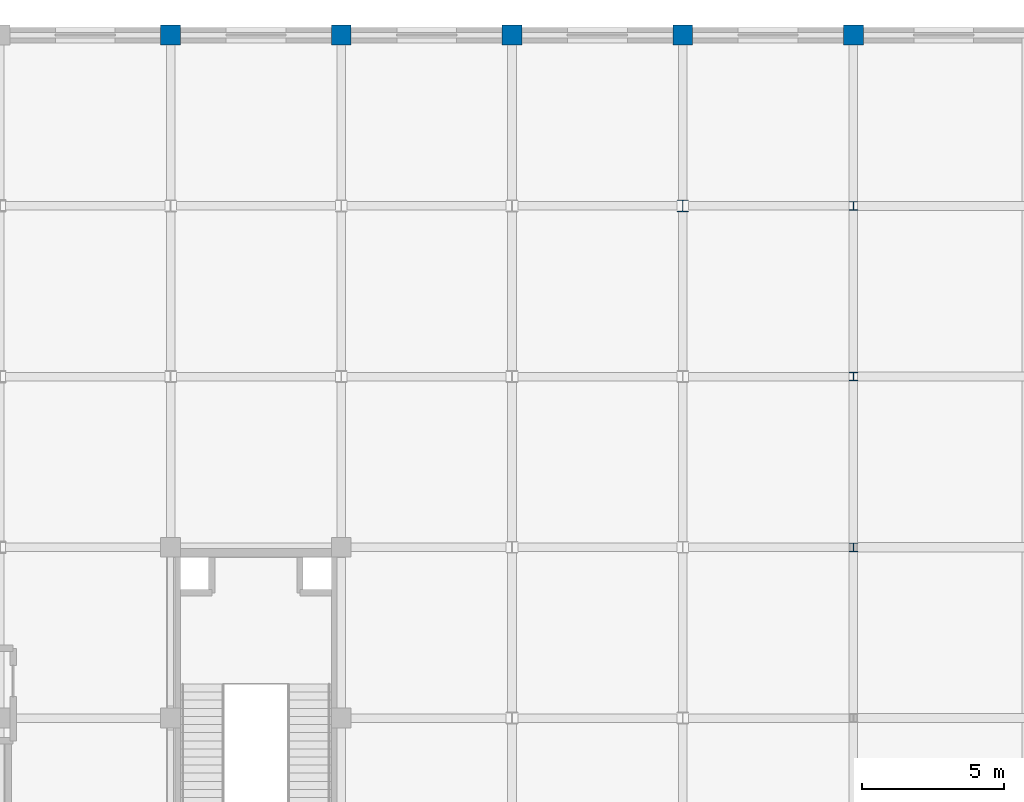
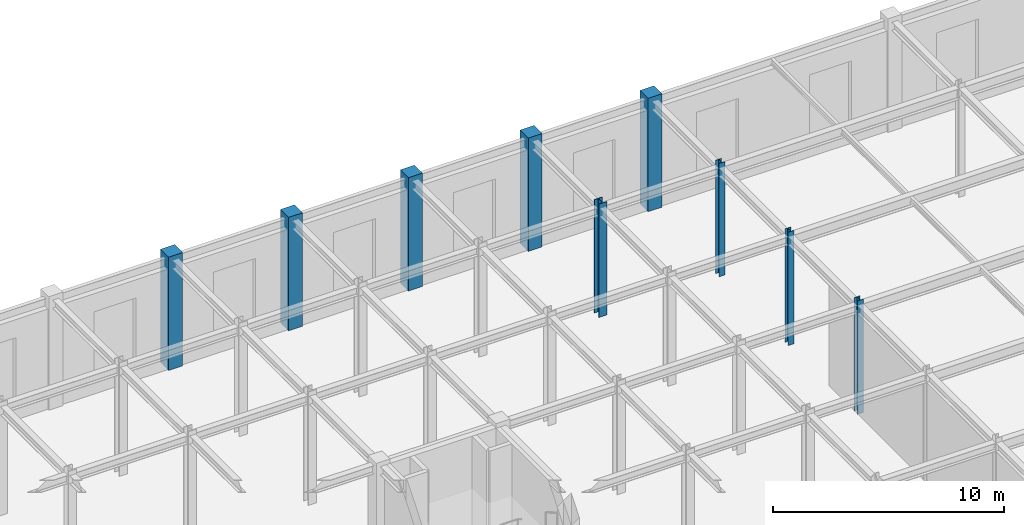
# One storey, part 20 of 108: 9 columns.
"""IFC4 building model written with IfcOpenShell, lengths in metres."""

from ifc_helpers import new_model, si_unit, direction, frame, origin, origin_2d, place, context, subcontext, project, spatial, rectangle, i_section, extrude, material, material_profile, profile_set, type_object, element, save


model = new_model("IFC4")

# Units and contexts
model_context = context("Model", 3, precision=1e-05, world=origin(), true_north=direction((0.0, 1.0)))
body_context = subcontext(model_context, "Body", "Model", "MODEL_VIEW")
ifc_project = project(units=[si_unit("LENGTHUNIT", "METRE"), si_unit("AREAUNIT", "SQUARE_METRE"), si_unit("VOLUMEUNIT", "CUBIC_METRE"), si_unit("PLANEANGLEUNIT", "RADIAN"), si_unit("MASSUNIT", "GRAM", prefix="KILO")], contexts=[model_context])

# Site, building, storey
site_placement = place(None, origin())
site = spatial("IfcSite", under=ifc_project, at=site_placement, CompositionType="ELEMENT")
building_placement = place(site_placement, origin())
building = spatial("IfcBuilding", under=site, at=building_placement, Name="Zlatovratsky Civic Hall", CompositionType="ELEMENT")
storey_placement = place(building_placement, frame((0.0, 0.0, 6.0)))
storey = spatial("IfcBuildingStorey", under=building, at=storey_placement, Name="L02", CompositionType="ELEMENT", Elevation=6.0)

# Columns
ifc_material_1 = material(Name="Concrete C35/45 (B40)", Category="concrete")
ifc_material_profile_1 = material_profile(ifc_material_1, rectangle(XDim=0.699951171875, YDim=0.699951171875, at=origin_2d()), Name="RC 700x700")
ifc_profile_set_1 = profile_set([ifc_material_profile_1], Name="Concrete C35/45 (B40)")
column_type_1 = type_object("IfcColumnType", Name="Col_CorePier_RC700", PredefinedType="COLUMN", material=ifc_profile_set_1)
for number, where, z_axis, x_axis, name in (
    (1, (96.0, 114.0, 0.0), (0.0, 0.0, 1.0), (1.0, 0.0, 0.0), "CL-1179"),
    (2, (102.0, 114.0, 0.0), (0.0, 0.0, 1.0), (1.0, 0.0, 0.0), "CL-1180"),
    (3, (108.0, 114.0, 0.0), (0.0, 0.0, 1.0), (1.0, 0.0, 0.0), "CL-1181"),
    (4, (114.0, 114.0, 0.0), (0.0, 0.0, 1.0), (1.0, 0.0, 0.0), "CL-1182"),
    (5, (120.0, 114.0, 0.0), (0.0, 0.0, 1.0), (1.0, 0.0, 0.0), "CL-1183"),
):
    element("IfcColumn", number, at=place(storey_placement, frame(where, z_axis=z_axis, x_axis=x_axis)), inside=storey, type_object=column_type_1, Name=name, PredefinedType="COLUMN", context=body_context, shape_type="SweptSolid", body=[
        extrude(rectangle(XDim=0.699951171875, YDim=0.699951171875, at=origin_2d()), origin(), (0.0, 0.0, 1.0), 6.0),
    ])
ifc_material_2 = material(Name="Steel S355", Category="steel")
ifc_material_profile_2 = material_profile(ifc_material_2, i_section(OverallWidth=0.300048828125, OverallDepth=0.300048828125, WebThickness=0.010009765625, FlangeThickness=0.014892578125, FilletRadius=0.01806640625, at=origin_2d()), Name="30K2")
ifc_profile_set_2 = profile_set([ifc_material_profile_2], Name="Steel S355")
column_type_2 = type_object("IfcColumnType", Name="Col_Steel_30K2", PredefinedType="COLUMN", material=ifc_profile_set_2)
for number, where, z_axis, x_axis, name in (
    (6, (120.0, 96.0, 0.0), (0.0, 0.0, 1.0), (1.0, 0.0, 0.0), "CL-1114"),
    (7, (120.0, 102.0, 0.0), (0.0, 0.0, 1.0), (1.0, 0.0, 0.0), "CL-1137"),
    (8, (120.0, 108.0, 0.0), (0.0, 0.0, 1.0), (1.0, 0.0, 0.0), "CL-1160"),
):
    element("IfcColumn", number, at=place(storey_placement, frame(where, z_axis=z_axis, x_axis=x_axis)), inside=storey, type_object=column_type_2, Name=name, PredefinedType="COLUMN", context=body_context, shape_type="SweptSolid", body=[
        extrude(i_section(OverallWidth=0.300048828125, OverallDepth=0.300048828125, WebThickness=0.010009765625, FlangeThickness=0.014892578125, FilletRadius=0.01806640625, at=origin_2d()), origin(), (0.0, 0.0, 1.0), 6.0),
    ])
ifc_material_profile_3 = material_profile(ifc_material_2, i_section(OverallWidth=0.405029296875, OverallDepth=0.41796875, WebThickness=0.02001953125, FlangeThickness=0.030029296875, FilletRadius=0.02197265625, at=origin_2d()), Name="40K4")
ifc_profile_set_3 = profile_set([ifc_material_profile_3], Name="Steel S355")
column_type_3 = type_object("IfcColumnType", Name="Col_Steel_40K4", PredefinedType="COLUMN", material=ifc_profile_set_3)
column_placement = place(storey_placement, frame((114.0, 108.0, 0.0), z_axis=(0.0, 0.0, 1.0), x_axis=(1.0, 0.0, 0.0)))
element("IfcColumn", 9, at=column_placement, inside=storey, type_object=column_type_3, Name="CL-1159", PredefinedType="COLUMN", context=body_context, shape_type="SweptSolid", body=[
    extrude(i_section(OverallWidth=0.405029296875, OverallDepth=0.41796875, WebThickness=0.02001953125, FlangeThickness=0.030029296875, FilletRadius=0.02197265625, at=origin_2d()), origin(), (0.0, 0.0, 1.0), 6.0),
])

save(model, "model.ifc")
